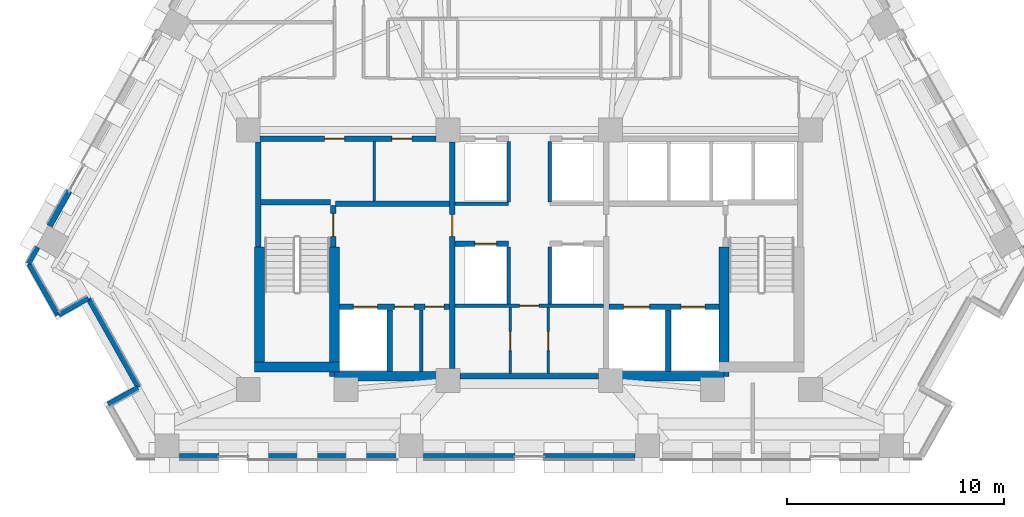
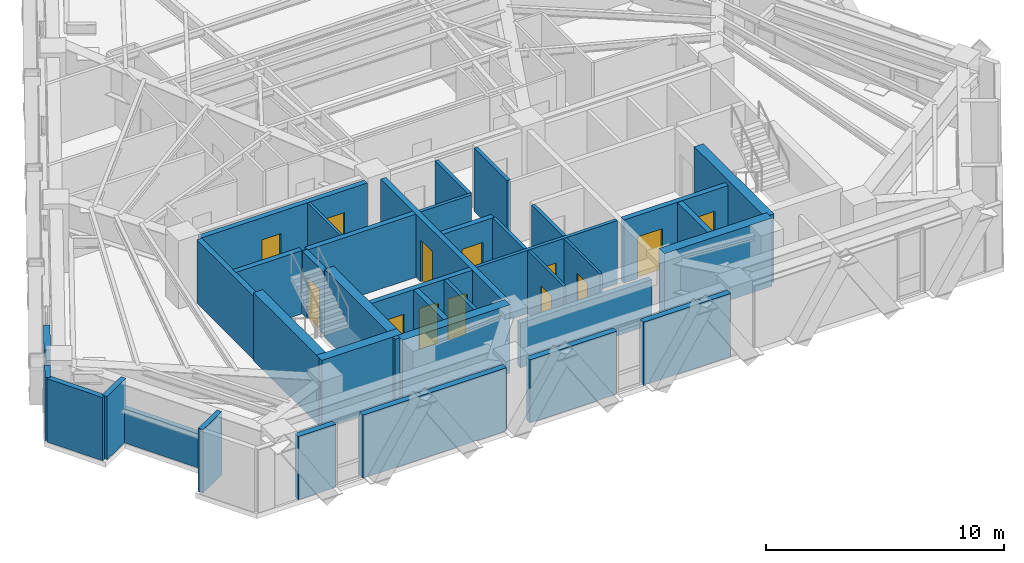
# One storey, part 7 of 13: 38 walls, 13 doors, 13 openings.
"""IFC4 building model written with IfcOpenShell, lengths in metres."""

import ifcopenshell
import ifcopenshell.guid

model = None  # the IFC model being written
_history = None  # IfcOwnerHistory: only IFC2X3 demands one
_inside = {}  # id of a spatial element -> (the spatial element, [elements in it])
_under = {}  # id of a project, library or spatial element -> (it, [spatial elements below it])
_declared = {}  # id of a project -> (the project, [libraries it declares])
_typed = {}  # id of a type object -> (the type object, [elements of that type])
_made_of = {}  # id of a material, layer set ... -> (it, [elements and type objects made of it])


def new_model(schema):
    """Start an empty IFC model of exactly this schema.

    Asked for "IFC4X3", IfcOpenShell would pick the latest addendum, in which some entities
    have other attributes; the version numbers below select the first issue.
    IFC2X3 requires an IfcOwnerHistory on every rooted entity: one is made here for all.
    """
    global model, _history
    if schema == "IFC4X3":
        model = ifcopenshell.file(schema_version=(4, 3, 0, 0))
    else:
        model = ifcopenshell.file(schema=schema)
    _inside.clear()
    _under.clear()
    _declared.clear()
    _typed.clear()
    _made_of.clear()
    _history = None
    if model.schema == "IFC2X3":
        org = make("IfcOrganization", Name="unknown")
        user = make(
            "IfcPersonAndOrganization",
            ThePerson=make("IfcPerson", FamilyName="unknown"),
            TheOrganization=org,
        )
        app = make(
            "IfcApplication",
            ApplicationDeveloper=org,
            Version="unknown",
            ApplicationFullName="unknown",
            ApplicationIdentifier="unknown",
        )
        _history = make(
            "IfcOwnerHistory",
            OwningUser=user,
            OwningApplication=app,
            ChangeAction="ADDED",
            CreationDate=0,
        )
    return model


def make(cls, **values):
    """One entity of the class cls with the attributes given. An attribute that is None is left unset."""
    return model.create_entity(
        cls, **{name: value for name, value in values.items() if value is not None}
    )


def rooted(cls, **values):
    """An entity with a GlobalId (a new one), such as an element, a storey or a relation."""
    return make(cls, GlobalId=ifcopenshell.guid.new(), OwnerHistory=_history, **values)


def si_unit(unit_type, name, prefix=None):
    """IfcSIUnit, for example si_unit("LENGTHUNIT", "METRE", prefix="MILLI")."""
    return make("IfcSIUnit", UnitType=unit_type, Prefix=prefix, Name=name)


def assignment(units):
    """IfcUnitAssignment: the units of a project."""
    return None if units is None else make("IfcUnitAssignment", Units=units)


def point(xyz):
    """IfcCartesianPoint."""
    return None if xyz is None else make("IfcCartesianPoint", Coordinates=xyz)


def direction(xyz):
    """IfcDirection."""
    return None if xyz is None else make("IfcDirection", DirectionRatios=xyz)


def frame(location, z_axis=None, x_axis=None):
    """IfcAxis2Placement3D, a coordinate frame: its origin and axes. An axis left out is left unset."""
    return make(
        "IfcAxis2Placement3D",
        Location=point(location),
        Axis=direction(z_axis),
        RefDirection=direction(x_axis),
    )


def frame_2d(location, x_axis=None):
    """IfcAxis2Placement2D, a coordinate frame in the plane: its origin and x axis."""
    return make(
        "IfcAxis2Placement2D", Location=point(location), RefDirection=direction(x_axis)
    )


def origin():
    """The frame at (0, 0, 0) with its axes left unset."""
    return frame((0.0, 0.0, 0.0))


def place(relative_to, where):
    """IfcLocalPlacement: puts the frame where relative to a parent placement (None: the world)."""
    return make(
        "IfcLocalPlacement", PlacementRelTo=relative_to, RelativePlacement=where
    )


def context(
    kind, dimensions, precision=None, world=None, true_north=None, identifier=None
):
    """IfcGeometricRepresentationContext, for example the 3D "Model" context."""
    return make(
        "IfcGeometricRepresentationContext",
        ContextIdentifier=identifier,
        ContextType=kind,
        CoordinateSpaceDimension=dimensions,
        Precision=precision,
        WorldCoordinateSystem=world,
        TrueNorth=true_north,
    )


def subcontext(parent, identifier, kind, view, scale=None):
    """IfcGeometricRepresentationSubContext, for example "Body" below "Model"."""
    return make(
        "IfcGeometricRepresentationSubContext",
        ContextIdentifier=identifier,
        ContextType=kind,
        ParentContext=parent,
        TargetScale=scale,
        TargetView=view,
    )


def project(units=None, contexts=None):
    """IfcProject with its units and contexts."""
    return rooted(
        "IfcProject",
        Name="project",
        RepresentationContexts=contexts,
        UnitsInContext=assignment(units),
    )


def spatial(cls, under=None, at=None, **own):
    """A site, building, storey or space (cls), placed at a placement, below another one or the project."""
    s = rooted(cls, ObjectPlacement=at, **own)
    if under is not None:
        _under.setdefault(under.id(), (under, []))[1].append(s)
    return s


def profile(cls, at=None, kind="AREA", **sizes):
    """A parametric profile (cls). Its sizes go by their IFC names, for example OverallWidth=200.0."""
    return make(cls, ProfileType=kind, Position=at, **sizes)


def rectangle(**sizes):
    """IfcRectangleProfileDef."""
    return profile("IfcRectangleProfileDef", **sizes)


def extrude(swept, where, along, depth):
    """IfcExtrudedAreaSolid: the profile swept, set in the frame where, extruded along a direction by depth."""
    return make(
        "IfcExtrudedAreaSolid",
        SweptArea=swept,
        Position=where,
        ExtrudedDirection=direction(along),
        Depth=depth,
    )


def shape(context_of_items, identifier, shape_type, items):
    """IfcShapeRepresentation: the items that make up one representation, for example the "Body"."""
    return make(
        "IfcShapeRepresentation",
        ContextOfItems=context_of_items,
        RepresentationIdentifier=identifier,
        RepresentationType=shape_type,
        Items=items,
    )


def material(Name=None, Category=None):
    """IfcMaterial."""
    return make("IfcMaterial", Name=Name, Category=Category)


def layer(
    of_material, thickness, ventilated=None, Name=None, Category=None, Priority=None
):
    """IfcMaterialLayer: one layer of a wall or slab, of a material (None: an air gap)."""
    return make(
        "IfcMaterialLayer",
        Material=of_material,
        LayerThickness=thickness,
        IsVentilated=ventilated,
        Name=Name,
        Category=Category,
        Priority=Priority,
    )


def layer_set(layers, Name=None):
    """IfcMaterialLayerSet."""
    return make("IfcMaterialLayerSet", MaterialLayers=layers, LayerSetName=Name)


def made_of(thing, what):
    """Note that an element or type object is made of a material, layer set ...; save() writes the relation."""
    if what is not None:
        _made_of.setdefault(what.id(), (what, []))[1].append(thing)
    return thing


def type_object(cls, material=None, **own):
    """A type object (cls), such as IfcWallType, which elements share."""
    return made_of(rooted(cls, **own), material)


def element(
    cls,
    number,
    at=None,
    inside=None,
    cuts=None,
    type_object=None,
    material=None,
    context=None,
    identifier="Body",
    shape_type=None,
    held_by="IfcProductDefinitionShape",
    body=None,
    shapes=None,
    **own,
):
    """One element of the class cls, such as IfcWall. Its Tag is "e" and its number.

    at: its placement. inside: the storey or other place that contains it. cuts: it is an
    opening in that element (IfcRelVoidsElement). A single representation is given by context,
    identifier, shape_type and body (its items); several are given by shapes. held_by: the class
    of the entity that holds the representations. save() writes the other relations.
    """
    e = rooted(cls, Tag="e%d" % number, ObjectPlacement=at, **own)
    if body is not None:
        shapes = [shape(context, identifier, shape_type, body)]
    if shapes is not None:
        e.Representation = make(held_by, Representations=shapes)
    if inside is not None:
        _inside.setdefault(inside.id(), (inside, []))[1].append(e)
    if cuts is not None:
        rooted(
            "IfcRelVoidsElement", RelatingBuildingElement=cuts, RelatedOpeningElement=e
        )
    if type_object is not None:
        _typed.setdefault(type_object.id(), (type_object, []))[1].append(e)
    return made_of(e, material)


def fill(opening, filler):
    """IfcRelFillsElement: the door or window that sits in an opening."""
    return rooted(
        "IfcRelFillsElement",
        RelatingOpeningElement=opening,
        RelatedBuildingElement=filler,
    )


def aggregate(whole, parts):
    """IfcRelAggregates: a whole, such as a stair, and the parts it consists of."""
    return rooted("IfcRelAggregates", RelatingObject=whole, RelatedObjects=parts)


def save(model, path):
    """Write the relations noted so far, then the file.

    IfcRelAggregates (storeys below a building ...), IfcRelContainedInSpatialStructure (elements
    in a storey), IfcRelDefinesByType, IfcRelAssociatesMaterial and IfcRelDeclares: one each for
    every whole, place, type object, material and project.
    """
    for whole, parts in _under.values():
        aggregate(whole, parts)
    for where, things in _inside.values():
        rooted(
            "IfcRelContainedInSpatialStructure",
            RelatedElements=things,
            RelatingStructure=where,
        )
    for kind, things in _typed.values():
        rooted("IfcRelDefinesByType", RelatedObjects=things, RelatingType=kind)
    for what, things in _made_of.values():
        rooted("IfcRelAssociatesMaterial", RelatedObjects=things, RelatingMaterial=what)
    for by, libraries in _declared.values():
        rooted("IfcRelDeclares", RelatingContext=by, RelatedDefinitions=libraries)
    model.write(path)


model = new_model("IFC4")

# Units and contexts
model_context = context("Model", 3, precision=1e-05, world=origin(), true_north=direction((0.0, 1.0)))
body_context = subcontext(model_context, "Body", "Model", "MODEL_VIEW")
ifc_project = project(units=[si_unit("LENGTHUNIT", "METRE"), si_unit("AREAUNIT", "SQUARE_METRE"), si_unit("VOLUMEUNIT", "CUBIC_METRE"), si_unit("PLANEANGLEUNIT", "RADIAN"), si_unit("MASSUNIT", "GRAM", prefix="KILO")], contexts=[model_context])

# Site, building, storey
site_placement = place(None, origin())
site = spatial("IfcSite", under=ifc_project, at=site_placement, CompositionType="ELEMENT")
building_placement = place(site_placement, origin())
building = spatial("IfcBuilding", under=site, at=building_placement, Name="Quenlor Broadcast Tower", CompositionType="ELEMENT")
storey_placement = place(building_placement, frame((0.0, 0.0, 126.5)))
storey = spatial("IfcBuildingStorey", under=building, at=storey_placement, Name="L34", CompositionType="ELEMENT", Elevation=126.5)

# Walls
ifc_material_1 = material(Name="Concrete C50/60", Category="concrete")
ifc_layer_1 = layer(ifc_material_1, 0.449951171875)
ifc_layer_set_1 = layer_set([ifc_layer_1], Name="Core Concrete C50/60 Shear Wall 450")
wall_type_1 = type_object("IfcWallType", Name="Core Concrete C50/60 Shear Wall 450", PredefinedType="SHEAR", material=ifc_layer_set_1)
wall_1_placement = place(storey_placement, frame((-12.64990234375, -15.72509765625, 0.0), z_axis=(0.0, 0.0, 1.0), x_axis=(1.0, 0.0, 0.0)))
element("IfcWall", 1, at=wall_1_placement, inside=storey, type_object=wall_type_1, Name="L34 Core Shear Wall WS-W1", PredefinedType="SHEAR", context=body_context, shape_type="SweptSolid", body=[
    extrude(rectangle(XDim=3.89990234375, YDim=0.449951171875, at=frame_2d((1.949951171875, 0.0))), origin(), (0.0, 0.0, 1.0), 3.5),
])
for number, where, z_axis, x_axis, name in (
    (2, (-8.97509765625, -16.14990234375, 0.0), (0.0, 0.0, 1.0), (1.0, 0.0, 0.0), "L34 Core Shear Wall WS-W2"),
    (3, (3.75, -16.14990234375, 0.0), (0.0, 0.0, 1.0), (1.0, 0.0, 0.0), "L34 Core Shear Wall WS-E1"),
):
    element("IfcWall", number, at=place(storey_placement, frame(where, z_axis=z_axis, x_axis=x_axis)), inside=storey, type_object=wall_type_1, Name=name, PredefinedType="SHEAR", context=body_context, shape_type="SweptSolid", body=[
        extrude(rectangle(XDim=5.22509765625, YDim=0.449951171875, at=frame_2d((2.612548828125, 0.0))), origin(), (0.0, 0.0, 1.0), 3.5),
    ])
wall_2_placement = place(storey_placement, frame((-12.425048828125, -15.72509765625, 0.0), z_axis=(0.0, 0.0, 1.0), x_axis=(0.0, 1.0, 0.0)))
element("IfcWall", 4, at=wall_2_placement, inside=storey, type_object=wall_type_1, Name="L34 Core Shear Wall WF-W", PredefinedType="SHEAR", context=body_context, shape_type="SweptSolid", body=[
    extrude(rectangle(XDim=5.525146484375, YDim=0.449951171875, at=frame_2d((2.7626953125, 0.0))), origin(), (0.0, 0.0, 1.0), 3.5),
])
for number, where, z_axis, x_axis, name in (
    (5, (-8.97509765625, -16.14990234375, 0.0), (0.0, 0.0, 1.0), (0.0, 1.0, 0.0), "L34 Core Shear Wall WI-W"),
    (6, (8.97509765625, -16.14990234375, 0.0), (0.0, 0.0, 1.0), (0.0, 1.0, 0.0), "L34 Core Shear Wall WI-E"),
):
    element("IfcWall", number, at=place(storey_placement, frame(where, z_axis=z_axis, x_axis=x_axis)), inside=storey, type_object=wall_type_1, Name=name, PredefinedType="SHEAR", context=body_context, shape_type="SweptSolid", body=[
        extrude(rectangle(XDim=5.949951171875, YDim=0.449951171875, at=frame_2d((2.97509765625, 0.0))), origin(), (0.0, 0.0, 1.0), 3.5),
    ])

# Wall, opening, door
ifc_material_2 = material(Name="Concrete C40/50", Category="concrete")
ifc_layer_2 = layer(ifc_material_2, 0.25)
ifc_layer_set_2 = layer_set([ifc_layer_2], Name="Fire Rated Concrete C40/50 Core Wall 250")
wall_type_2 = type_object("IfcWallType", Name="Fire Rated Concrete C40/50 Core Wall 250", PredefinedType="PARTITIONING", material=ifc_layer_set_2)
wall_3_placement = place(storey_placement, frame((-9.0400390625, -10.179931640625, 0.0), z_axis=(0.0, 0.0, 1.0), x_axis=(0.0, 1.0, 0.0)))
wall_3 = element("IfcWall", 7, at=wall_3_placement, inside=storey, type_object=wall_type_2, Name="L34 Interior Wall CW-ST1-DR", PredefinedType="PARTITIONING", context=body_context, shape_type="SweptSolid", body=[
    extrude(rectangle(XDim=1.89990234375, YDim=0.25, at=frame_2d((0.949951171875, 0.0))), origin(), (0.0, 0.0, 1.0), 3.25),
])
opening_1_placement = place(wall_3_placement, frame((0.47998046875, 0.0, 0.0)))
opening_1 = element("IfcOpeningElement", 8, at=opening_1_placement, cuts=wall_3, Name="Opening FD-1", PredefinedType="OPENING", context=body_context, shape_type="SweptSolid", body=[
    extrude(rectangle(XDim=1.050048828125, YDim=2.14990234375, at=frame_2d((0.52490234375, 1.074951171875))), frame((0.0, 0.135009765625, 0.0), z_axis=(0.0, -1.0, 0.0), x_axis=(1.0, 0.0, 0.0)), (0.0, 0.0, 1.0), 0.27001953125),
])
ifc_material_3 = material(Name="Fire Rated Steel Door Leaf", Category="steel")
door_type_1 = type_object("IfcDoorType", Name="Fire Isolated Stair Door 1050x2150", OperationType="NOTDEFINED", PredefinedType="DOOR", material=ifc_material_3)
door_1_placement = place(opening_1_placement, origin())
door_1 = element("IfcDoor", 9, at=door_1_placement, inside=storey, type_object=door_type_1, Name="L34 Door DR-ST1", OperationType="SINGLE_SWING_LEFT", OverallHeight=2.14990234375, OverallWidth=1.050048828125, PredefinedType="DOOR", context=body_context, shape_type="SweptSolid", body=[
    extrude(rectangle(XDim=1.050048828125, YDim=2.14990234375, at=frame_2d((0.52490234375, 1.074951171875))), frame((0.0, 0.02490234375, 0.0), z_axis=(0.0, -1.0, 0.0), x_axis=(1.0, 0.0, 0.0)), (0.0, 0.0, 1.0), 0.050048828125),
])
fill(opening_1, door_1)

# Walls
wall_4_placement = place(storey_placement, frame((-12.3798828125, -8.1201171875, 0.0), z_axis=(0.0, 0.0, 1.0), x_axis=(1.0, 0.0, 0.0)))
element("IfcWall", 10, at=wall_4_placement, inside=storey, type_object=wall_type_2, Name="L34 Interior Wall CW-ST1-N", PredefinedType="PARTITIONING", context=body_context, shape_type="SweptSolid", body=[
    extrude(rectangle(XDim=3.219970703125, YDim=0.25, at=frame_2d((1.60986328125, 0.0))), origin(), (0.0, 0.0, 1.0), 3.25),
])
wall_5_placement = place(storey_placement, frame((-12.47998046875, -10.179931640625, 0.0), z_axis=(0.0, 0.0, 1.0), x_axis=(0.0, 1.0, 0.0)))
element("IfcWall", 11, at=wall_5_placement, inside=storey, type_object=wall_type_2, Name="L34 Interior Wall CW-ST1-W2", PredefinedType="PARTITIONING", context=body_context, shape_type="SweptSolid", body=[
    extrude(rectangle(XDim=4.827880859375, YDim=0.25, at=frame_2d((2.4140625, 0.0))), origin(), (0.0, 0.0, 1.0), 3.25),
])

# Wall, openings, doors
wall_6_placement = place(storey_placement, frame((-8.748046875, -12.949951171875, 0.0), z_axis=(0.0, 0.0, 1.0), x_axis=(1.0, 0.0, 0.0)))
wall_6 = element("IfcWall", 12, at=wall_6_placement, inside=storey, type_object=wall_type_2, Name="L34 Interior Wall CW-FFW-S", PredefinedType="PARTITIONING", context=body_context, shape_type="SweptSolid", body=[
    extrude(rectangle(XDim=5.068115234375, YDim=0.25, at=frame_2d((2.5341796875, 0.0))), origin(), (0.0, 0.0, 1.0), 3.25),
])
opening_2_placement = place(wall_6_placement, frame((0.64794921875, 0.0, 0.0)))
opening_2 = element("IfcOpeningElement", 13, at=opening_2_placement, cuts=wall_6, Name="Opening LD-FFL-1", PredefinedType="OPENING", context=body_context, shape_type="SweptSolid", body=[
    extrude(rectangle(XDim=1.10009765625, YDim=2.14990234375, at=frame_2d((0.550048828125, 1.074951171875))), frame((0.0, 0.135009765625, 0.0), z_axis=(0.0, -1.0, 0.0), x_axis=(1.0, 0.0, 0.0)), (0.0, 0.0, 1.0), 0.27001953125),
])
opening_3_placement = place(wall_6_placement, frame((2.548095703125, 0.0, 0.0)))
opening_3 = element("IfcOpeningElement", 14, at=opening_3_placement, cuts=wall_6, Name="Opening TD-1", PredefinedType="OPENING", context=body_context, shape_type="SweptSolid", body=[
    extrude(rectangle(XDim=0.8798828125, YDim=2.10009765625, at=frame_2d((0.43994140625, 1.050048828125))), frame((0.0, 0.135009765625, 0.0), z_axis=(0.0, -1.0, 0.0), x_axis=(1.0, 0.0, 0.0)), (0.0, 0.0, 1.0), 0.27001953125),
])
opening_4_placement = place(wall_6_placement, frame((3.947998046875, 0.0, 0.0)))
opening_4 = element("IfcOpeningElement", 15, at=opening_4_placement, cuts=wall_6, Name="Opening TD-1", PredefinedType="OPENING", context=body_context, shape_type="SweptSolid", body=[
    extrude(rectangle(XDim=0.8798828125, YDim=2.10009765625, at=frame_2d((0.43994140625, 1.050048828125))), frame((0.0, 0.135009765625, 0.0), z_axis=(0.0, -1.0, 0.0), x_axis=(1.0, 0.0, 0.0)), (0.0, 0.0, 1.0), 0.27001953125),
])
ifc_material_4 = material(Name="Brushed Stainless Steel", Category="steel")
door_type_2 = type_object("IfcDoorType", Name="Emergency Lift Sliding Landing Door 1100x2150", OperationType="NOTDEFINED", PredefinedType="DOOR", material=ifc_material_4)
door_2_placement = place(opening_2_placement, origin())
door_2 = element("IfcDoor", 16, at=door_2_placement, inside=storey, type_object=door_type_2, Name="L34 Door LD-FFL-1", OperationType="SLIDING_TO_LEFT", OverallHeight=2.14990234375, OverallWidth=1.10009765625, PredefinedType="DOOR", context=body_context, shape_type="SweptSolid", body=[
    extrude(rectangle(XDim=1.10009765625, YDim=2.14990234375, at=frame_2d((0.550048828125, 1.074951171875))), frame((0.0, 0.02490234375, 0.0), z_axis=(0.0, -1.0, 0.0), x_axis=(1.0, 0.0, 0.0)), (0.0, 0.0, 1.0), 0.050048828125),
])
fill(opening_2, door_2)
ifc_material_5 = material(Name="Fire Rated Steel Access Panel", Category="steel")
door_type_3 = type_object("IfcDoorType", Name="Riser Shaft Rated Access Trapdoor 880x2100", OperationType="NOTDEFINED", PredefinedType="TRAPDOOR", material=ifc_material_5)
door_3_placement = place(opening_3_placement, origin())
door_3 = element("IfcDoor", 17, at=door_3_placement, inside=storey, type_object=door_type_3, Name="L34 Door DR-ELR", OperationType="SINGLE_SWING_LEFT", OverallHeight=2.10009765625, OverallWidth=0.8798828125, PredefinedType="TRAPDOOR", context=body_context, shape_type="SweptSolid", body=[
    extrude(rectangle(XDim=0.8798828125, YDim=2.10009765625, at=frame_2d((0.43994140625, 1.050048828125))), frame((0.0, 0.02490234375, 0.0), z_axis=(0.0, -1.0, 0.0), x_axis=(1.0, 0.0, 0.0)), (0.0, 0.0, 1.0), 0.050048828125),
])
fill(opening_3, door_3)
door_4_placement = place(opening_4_placement, origin())
door_4 = element("IfcDoor", 18, at=door_4_placement, inside=storey, type_object=door_type_3, Name="L34 Door DR-CMR", OperationType="SINGLE_SWING_RIGHT", OverallHeight=2.10009765625, OverallWidth=0.8798828125, PredefinedType="TRAPDOOR", context=body_context, shape_type="SweptSolid", body=[
    extrude(rectangle(XDim=0.8798828125, YDim=2.10009765625, at=frame_2d((0.43994140625, 1.050048828125))), frame((0.0, 0.02490234375, 0.0), z_axis=(0.0, -1.0, 0.0), x_axis=(1.0, 0.0, 0.0)), (0.0, 0.0, 1.0), 0.050048828125),
])
fill(opening_4, door_4)

wall_7_placement = place(storey_placement, frame((3.679931640625, -12.949951171875, 0.0), z_axis=(0.0, 0.0, 1.0), x_axis=(1.0, 0.0, 0.0)))
wall_7 = element("IfcWall", 19, at=wall_7_placement, inside=storey, type_object=wall_type_2, Name="L34 Interior Wall CW-FFE-S", PredefinedType="PARTITIONING", context=body_context, shape_type="SweptSolid", body=[
    extrude(rectangle(XDim=5.068115234375, YDim=0.25, at=frame_2d((2.5341796875, 0.0))), origin(), (0.0, 0.0, 1.0), 3.25),
])
opening_5_placement = place(wall_7_placement, frame((3.320068359375, 0.0, 0.0)))
opening_5 = element("IfcOpeningElement", 20, at=opening_5_placement, cuts=wall_7, Name="Opening LD-FFL-2", PredefinedType="OPENING", context=body_context, shape_type="SweptSolid", body=[
    extrude(rectangle(XDim=1.10009765625, YDim=2.14990234375, at=frame_2d((0.550048828125, 1.074951171875))), frame((0.0, 0.135009765625, 0.0), z_axis=(0.0, -1.0, 0.0), x_axis=(1.0, 0.0, 0.0)), (0.0, 0.0, 1.0), 0.27001953125),
])
opening_6_placement = place(wall_7_placement, frame((0.669921875, 0.0, 0.0)))
opening_6 = element("IfcOpeningElement", 21, at=opening_6_placement, cuts=wall_7, Name="Opening LD-SVL-1", PredefinedType="OPENING", context=body_context, shape_type="SweptSolid", body=[
    extrude(rectangle(XDim=1.199951171875, YDim=2.14990234375, at=frame_2d((0.60009765625, 1.074951171875))), frame((0.0, 0.135009765625, 0.0), z_axis=(0.0, -1.0, 0.0), x_axis=(1.0, 0.0, 0.0)), (0.0, 0.0, 1.0), 0.27001953125),
])
door_5_placement = place(opening_5_placement, origin())
door_5 = element("IfcDoor", 22, at=door_5_placement, inside=storey, type_object=door_type_2, Name="L34 Door LD-FFL-2", OperationType="SLIDING_TO_RIGHT", OverallHeight=2.14990234375, OverallWidth=1.10009765625, PredefinedType="DOOR", context=body_context, shape_type="SweptSolid", body=[
    extrude(rectangle(XDim=1.10009765625, YDim=2.14990234375, at=frame_2d((0.550048828125, 1.074951171875))), frame((0.0, 0.02490234375, 0.0), z_axis=(0.0, -1.0, 0.0), x_axis=(1.0, 0.0, 0.0)), (0.0, 0.0, 1.0), 0.050048828125),
])
fill(opening_5, door_5)
ifc_material_6 = material(Name="Brushed Stainless Steel", Category="steel")
door_type_4 = type_object("IfcDoorType", Name="Goods Lift Sliding Landing Door 1200x2150", OperationType="NOTDEFINED", PredefinedType="DOOR", material=ifc_material_6)
door_6_placement = place(opening_6_placement, origin())
door_6 = element("IfcDoor", 23, at=door_6_placement, inside=storey, type_object=door_type_4, Name="L34 Door LD-SVL-1", OperationType="SLIDING_TO_LEFT", OverallHeight=2.14990234375, OverallWidth=1.199951171875, PredefinedType="DOOR", context=body_context, shape_type="SweptSolid", body=[
    extrude(rectangle(XDim=1.199951171875, YDim=2.14990234375, at=frame_2d((0.60009765625, 1.074951171875))), frame((0.0, 0.02490234375, 0.0), z_axis=(0.0, -1.0, 0.0), x_axis=(1.0, 0.0, 0.0)), (0.0, 0.0, 1.0), 0.050048828125),
])
fill(opening_6, door_6)

# Walls
for number, where, z_axis, x_axis, name in (
    (24, (-6.419921875, -15.919921875, 0.0), (0.0, 0.0, 1.0), (0.0, 1.0, 0.0), "L34 Interior Wall CW-FF1-E"),
    (25, (6.39990234375, -15.919921875, 0.0), (0.0, 0.0, 1.0), (0.0, 1.0, 0.0), "L34 Interior Wall CW-SV1-E"),
):
    element("IfcWall", number, at=place(storey_placement, frame(where, z_axis=z_axis, x_axis=x_axis)), inside=storey, type_object=wall_type_2, Name=name, PredefinedType="PARTITIONING", context=body_context, shape_type="SweptSolid", body=[
        extrude(rectangle(XDim=2.829833984375, YDim=0.25, at=frame_2d((1.4150390625, 0.0))), origin(), (0.0, 0.0, 1.0), 3.25),
    ])
wall_8_placement = place(storey_placement, frame((-8.919921875, -8.199951171875, 0.0), z_axis=(0.0, 0.0, 1.0), x_axis=(1.0, 0.0, 0.0)))
element("IfcWall", 26, at=wall_8_placement, inside=storey, type_object=wall_type_2, Name="L34 Interior Wall CW-FFW-N", PredefinedType="PARTITIONING", context=body_context, shape_type="SweptSolid", body=[
    extrude(rectangle(XDim=5.239990234375, YDim=0.25, at=frame_2d((2.6201171875, 0.0))), origin(), (0.0, 0.0, 1.0), 3.25),
])

# Wall, opening, door
wall_9_placement = place(storey_placement, frame((-3.550048828125, -15.798095703125, 0.0), z_axis=(0.0, 0.0, 1.0), x_axis=(0.0, 1.0, 0.0)))
wall_9 = element("IfcWall", 27, at=wall_9_placement, inside=storey, type_object=wall_type_2, Name="L34 Interior Wall CW-FFW-E", PredefinedType="PARTITIONING", context=body_context, shape_type="SweptSolid", body=[
    extrude(rectangle(XDim=10.446044921875, YDim=0.25, at=frame_2d((5.22314453125, 0.0))), origin(), (0.0, 0.0, 1.0), 3.25),
])
opening_7_placement = place(wall_9_placement, frame((6.097900390625, 0.0, 0.0)))
opening_7 = element("IfcOpeningElement", 28, at=opening_7_placement, cuts=wall_9, Name="Opening FD-2", PredefinedType="OPENING", context=body_context, shape_type="SweptSolid", body=[
    extrude(rectangle(XDim=1.0, YDim=2.14990234375, at=frame_2d((0.5, 1.074951171875))), frame((0.0, 0.135009765625, 0.0), z_axis=(0.0, -1.0, 0.0), x_axis=(1.0, 0.0, 0.0)), (0.0, 0.0, 1.0), 0.27001953125),
])
ifc_material_7 = material(Name="Fire Rated Glazed Steel Door", Category="steel")
door_type_5 = type_object("IfcDoorType", Name="Firefighting Lobby Smoke Door 1000x2150", OperationType="NOTDEFINED", PredefinedType="DOOR", material=ifc_material_7)
door_7_placement = place(opening_7_placement, origin())
door_7 = element("IfcDoor", 29, at=door_7_placement, inside=storey, type_object=door_type_5, Name="L34 Door DR-FFLW", OperationType="SINGLE_SWING_RIGHT", OverallHeight=2.14990234375, OverallWidth=1.0, PredefinedType="DOOR", context=body_context, shape_type="SweptSolid", body=[
    extrude(rectangle(XDim=1.0, YDim=2.14990234375, at=frame_2d((0.5, 1.074951171875))), frame((0.0, 0.02490234375, 0.0), z_axis=(0.0, -1.0, 0.0), x_axis=(1.0, 0.0, 0.0)), (0.0, 0.0, 1.0), 0.050048828125),
])
fill(opening_7, door_7)

# Wall, openings, doors
wall_10_placement = place(storey_placement, frame((-12.39794921875, -5.199951171875, 0.0), z_axis=(0.0, 0.0, 1.0), x_axis=(1.0, 0.0, 0.0)))
wall_10 = element("IfcWall", 30, at=wall_10_placement, inside=storey, type_object=wall_type_2, Name="L34 Interior Wall CW-N-W", PredefinedType="PARTITIONING", context=body_context, shape_type="SweptSolid", body=[
    extrude(rectangle(XDim=8.095947265625, YDim=0.25, at=frame_2d((4.0478515625, 0.0))), origin(), (0.0, 0.0, 1.0), 3.25),
])
opening_8_placement = place(wall_10_placement, frame((2.968017578125, 0.0, 0.0)))
opening_8 = element("IfcOpeningElement", 31, at=opening_8_placement, cuts=wall_10, Name="Opening ID-1", PredefinedType="OPENING", context=body_context, shape_type="SweptSolid", body=[
    extrude(rectangle(XDim=0.919921875, YDim=2.1201171875, at=frame_2d((0.4599609375, 1.06005859375))), frame((0.0, 0.135009765625, 0.0), z_axis=(0.0, -1.0, 0.0), x_axis=(1.0, 0.0, 0.0)), (0.0, 0.0, 1.0), 0.27001953125),
])
opening_9_placement = place(wall_10_placement, frame((6.068115234375, 0.0, 0.0)))
opening_9 = element("IfcOpeningElement", 32, at=opening_9_placement, cuts=wall_10, Name="Opening ID-1", PredefinedType="OPENING", context=body_context, shape_type="SweptSolid", body=[
    extrude(rectangle(XDim=0.919921875, YDim=2.1201171875, at=frame_2d((0.4599609375, 1.06005859375))), frame((0.0, 0.135009765625, 0.0), z_axis=(0.0, -1.0, 0.0), x_axis=(1.0, 0.0, 0.0)), (0.0, 0.0, 1.0), 0.27001953125),
])
ifc_material_8 = material(Name="Solid Core Timber Oak", Category="wood")
door_type_6 = type_object("IfcDoorType", Name="Single Leaf Timber Office Door 920x2120", OperationType="NOTDEFINED", PredefinedType="DOOR", material=ifc_material_8)
door_8_placement = place(opening_8_placement, origin())
door_8 = element("IfcDoor", 33, at=door_8_placement, inside=storey, type_object=door_type_6, Name="L34 Door DR-RCL1", OperationType="SINGLE_SWING_LEFT", OverallHeight=2.1201171875, OverallWidth=0.919921875, PredefinedType="DOOR", context=body_context, shape_type="SweptSolid", body=[
    extrude(rectangle(XDim=0.919921875, YDim=2.1201171875, at=frame_2d((0.4599609375, 1.06005859375))), frame((0.0, 0.02490234375, 0.0), z_axis=(0.0, -1.0, 0.0), x_axis=(1.0, 0.0, 0.0)), (0.0, 0.0, 1.0), 0.050048828125),
])
fill(opening_8, door_8)
door_9_placement = place(opening_9_placement, origin())
door_9 = element("IfcDoor", 34, at=door_9_placement, inside=storey, type_object=door_type_6, Name="L34 Door DR-RCL2", OperationType="SINGLE_SWING_RIGHT", OverallHeight=2.1201171875, OverallWidth=0.919921875, PredefinedType="DOOR", context=body_context, shape_type="SweptSolid", body=[
    extrude(rectangle(XDim=0.919921875, YDim=2.1201171875, at=frame_2d((0.4599609375, 1.06005859375))), frame((0.0, 0.02490234375, 0.0), z_axis=(0.0, -1.0, 0.0), x_axis=(1.0, 0.0, 0.0)), (0.0, 0.0, 1.0), 0.050048828125),
])
fill(opening_9, door_9)

# Wall
wall_11_placement = place(storey_placement, frame((-3.197998046875, -16.14990234375, 0.0), z_axis=(0.0, 0.0, 1.0), x_axis=(1.0, 0.0, 0.0)))
element("IfcWall", 35, at=wall_11_placement, inside=storey, type_object=wall_type_2, Name="L34 Interior Wall CW-MS-S", PredefinedType="PARTITIONING", context=body_context, shape_type="SweptSolid", body=[
    extrude(rectangle(XDim=6.39599609375, YDim=0.25, at=frame_2d((3.197998046875, 0.0))), origin(), (0.0, 0.0, 1.0), 2.300048828125),
])

# Wall, opening, door
wall_12_placement = place(storey_placement, frame((-3.419921875, -10.050048828125, 0.0), z_axis=(0.0, 0.0, 1.0), x_axis=(1.0, 0.0, 0.0)))
wall_12 = element("IfcWall", 36, at=wall_12_placement, inside=storey, type_object=wall_type_2, Name="L34 Interior Wall CW-MS-N1", PredefinedType="PARTITIONING", context=body_context, shape_type="SweptSolid", body=[
    extrude(rectangle(XDim=2.469970703125, YDim=0.25, at=frame_2d((1.23486328125, 0.0))), origin(), (0.0, 0.0, 1.0), 3.25),
])
opening_10_placement = place(wall_12_placement, frame((0.919921875, 0.0, 0.0)))
opening_10 = element("IfcOpeningElement", 37, at=opening_10_placement, cuts=wall_12, Name="Opening LD-PL-M3", PredefinedType="OPENING", context=body_context, shape_type="SweptSolid", body=[
    extrude(rectangle(XDim=1.0, YDim=2.14990234375, at=frame_2d((0.5, 1.074951171875))), frame((0.0, 0.135009765625, 0.0), z_axis=(0.0, -1.0, 0.0), x_axis=(1.0, 0.0, 0.0)), (0.0, 0.0, 1.0), 0.27001953125),
])
ifc_material_9 = material(Name="Brushed Stainless Steel", Category="steel")
door_type_7 = type_object("IfcDoorType", Name="Passenger Lift Sliding Landing Door 1000x2150", OperationType="NOTDEFINED", PredefinedType="DOOR", material=ifc_material_9)
door_10_placement = place(opening_10_placement, origin())
door_10 = element("IfcDoor", 38, at=door_10_placement, inside=storey, type_object=door_type_7, Name="L34 Door LD-PL-M3", OperationType="SLIDING_TO_LEFT", OverallHeight=2.14990234375, OverallWidth=1.0, PredefinedType="DOOR", context=body_context, shape_type="SweptSolid", body=[
    extrude(rectangle(XDim=1.0, YDim=2.14990234375, at=frame_2d((0.5, 1.074951171875))), frame((0.0, 0.02490234375, 0.0), z_axis=(0.0, -1.0, 0.0), x_axis=(1.0, 0.0, 0.0)), (0.0, 0.0, 1.0), 0.050048828125),
])
fill(opening_10, door_10)

# Walls
ifc_material_10 = material(Name="Gypsum Fireboard Partition", Category="other")
ifc_layer_3 = layer(ifc_material_10, 0.159912109375)
ifc_layer_set_3 = layer_set([ifc_layer_3], Name="Fire Rated Shaft and Corridor Partition 160")
wall_type_3 = type_object("IfcWallType", Name="Fire Rated Shaft and Corridor Partition 160", PredefinedType="PARTITIONING", material=ifc_layer_set_3)
wall_13_placement = place(storey_placement, frame((-4.97998046875, -15.919921875, 0.0), z_axis=(0.0, 0.0, 1.0), x_axis=(0.0, 1.0, 0.0)))
element("IfcWall", 39, at=wall_13_placement, inside=storey, type_object=wall_type_3, Name="L34 Interior Wall CW-ELR-E", PredefinedType="PARTITIONING", context=body_context, shape_type="SweptSolid", body=[
    extrude(rectangle(XDim=2.829833984375, YDim=0.159912109375, at=frame_2d((1.4150390625, 0.0))), origin(), (0.0, 0.0, 1.0), 3.25),
])
for number, where, z_axis, x_axis, name in (
    (40, (-0.949951171875, -8.1201171875, 0.0), (0.0, 0.0, 1.0), (0.0, 1.0, 0.0), "L34 Interior Wall CW-CCRP-W"),
    (41, (0.949951171875, -8.1201171875, 0.0), (0.0, 0.0, 1.0), (0.0, 1.0, 0.0), "L34 Interior Wall CW-CCRP-E"),
):
    element("IfcWall", number, at=place(storey_placement, frame(where, z_axis=z_axis, x_axis=x_axis)), inside=storey, type_object=wall_type_3, Name=name, PredefinedType="PARTITIONING", context=body_context, shape_type="SweptSolid", body=[
        extrude(rectangle(XDim=2.780029296875, YDim=0.159912109375, at=frame_2d((1.39013671875, 0.0))), origin(), (0.0, 0.0, 1.0), 3.25),
    ])
wall_14_placement = place(storey_placement, frame((-3.419921875, -8.199951171875, 0.0), z_axis=(0.0, 0.0, 1.0), x_axis=(1.0, 0.0, 0.0)))
element("IfcWall", 42, at=wall_14_placement, inside=storey, type_object=wall_type_3, Name="L34 Interior Wall CW-M-BACK1", PredefinedType="PARTITIONING", context=body_context, shape_type="SweptSolid", body=[
    extrude(rectangle(XDim=2.469970703125, YDim=0.159912109375, at=frame_2d((1.23486328125, 0.0))), origin(), (0.0, 0.0, 1.0), 3.25),
])

# Wall, opening, door
wall_15_placement = place(storey_placement, frame((-3.419921875, -12.89990234375, 0.0), z_axis=(0.0, 0.0, 1.0), x_axis=(1.0, 0.0, 0.0)))
wall_15 = element("IfcWall", 43, at=wall_15_placement, inside=storey, type_object=wall_type_3, Name="L34 Interior Wall CW-MS-B", PredefinedType="PARTITIONING", context=body_context, shape_type="SweptSolid", body=[
    extrude(rectangle(XDim=6.83984375, YDim=0.159912109375, at=frame_2d((3.419921875, 0.0))), origin(), (0.0, 0.0, 1.0), 3.25),
])
opening_11_placement = place(wall_15_placement, frame((2.97998046875, 0.0, 0.0)))
opening_11 = element("IfcOpeningElement", 44, at=opening_11_placement, cuts=wall_15, Name="Opening ID-4", PredefinedType="OPENING", context=body_context, shape_type="SweptSolid", body=[
    extrude(rectangle(XDim=0.8798828125, YDim=2.1201171875, at=frame_2d((0.43994140625, 1.06005859375))), frame((0.0, 0.08984375, 0.0), z_axis=(0.0, -1.0, 0.0), x_axis=(1.0, 0.0, 0.0)), (0.0, 0.0, 1.0), 0.179931640625),
])
ifc_material_11 = material(Name="Solid Core Timber Oak", Category="wood")
door_type_8 = type_object("IfcDoorType", Name="Service Closet Timber Door 880x2120", OperationType="NOTDEFINED", PredefinedType="DOOR", material=ifc_material_11)
door_11_placement = place(opening_11_placement, origin())
door_11 = element("IfcDoor", 45, at=door_11_placement, inside=storey, type_object=door_type_8, Name="L34 Door DR-CSV0", OperationType="SINGLE_SWING_LEFT", OverallHeight=2.1201171875, OverallWidth=0.8798828125, PredefinedType="DOOR", context=body_context, shape_type="SweptSolid", body=[
    extrude(rectangle(XDim=0.8798828125, YDim=2.1201171875, at=frame_2d((0.43994140625, 1.06005859375))), frame((0.0, 0.02490234375, 0.0), z_axis=(0.0, -1.0, 0.0), x_axis=(1.0, 0.0, 0.0)), (0.0, 0.0, 1.0), 0.050048828125),
])
fill(opening_11, door_11)

# Walls
for number, where, z_axis, x_axis, name in (
    (46, (-0.949951171875, -12.818115234375, 0.0), (0.0, 0.0, 1.0), (0.0, 1.0, 0.0), "L34 Interior Wall CW-MS-W"),
    (47, (0.949951171875, -12.818115234375, 0.0), (0.0, 0.0, 1.0), (0.0, 1.0, 0.0), "L34 Interior Wall CW-MS-E"),
):
    element("IfcWall", number, at=place(storey_placement, frame(where, z_axis=z_axis, x_axis=x_axis)), inside=storey, type_object=wall_type_3, Name=name, PredefinedType="PARTITIONING", context=body_context, shape_type="SweptSolid", body=[
        extrude(rectangle(XDim=2.63818359375, YDim=0.159912109375, at=frame_2d((1.319091796875, 0.0))), origin(), (0.0, 0.0, 1.0), 3.25),
    ])
ifc_material_12 = material(Name="Gypsum Plasterboard Partition", Category="other")
ifc_layer_4 = layer(ifc_material_12, 0.1201171875)
ifc_layer_set_4 = layer_set([ifc_layer_4], Name="Standard Office Partition 120")
wall_type_4 = type_object("IfcWallType", Name="Standard Office Partition 120", PredefinedType="PARTITIONING", material=ifc_layer_set_4)
wall_16_placement = place(storey_placement, frame((-7.14990234375, -8.072998046875, 0.0), z_axis=(0.0, 0.0, 1.0), x_axis=(0.0, 1.0, 0.0)))
element("IfcWall", 48, at=wall_16_placement, inside=storey, type_object=wall_type_4, Name="L34 Interior Wall CW-RCL-MID", PredefinedType="PARTITIONING", context=body_context, shape_type="SweptSolid", body=[
    extrude(rectangle(XDim=2.73291015625, YDim=0.1201171875, at=frame_2d((1.366455078125, 0.0))), origin(), (0.0, 0.0, 1.0), 3.25),
])

# Wall, opening, door
wall_17_placement = place(storey_placement, frame((-0.8798828125, -16.02001953125, 0.0), z_axis=(0.0, 0.0, 1.0), x_axis=(0.0, 1.0, 0.0)))
wall_17 = element("IfcWall", 49, at=wall_17_placement, inside=storey, type_object=wall_type_4, Name="L34 Interior Wall CW-CSV-W3", PredefinedType="PARTITIONING", context=body_context, shape_type="SweptSolid", body=[
    extrude(rectangle(XDim=3.0380859375, YDim=0.1201171875, at=frame_2d((1.51904296875, 0.0))), origin(), (0.0, 0.0, 1.0), 3.25),
])
opening_12_placement = place(wall_17_placement, frame((1.050048828125, 0.0, 0.0)))
opening_12 = element("IfcOpeningElement", 50, at=opening_12_placement, cuts=wall_17, Name="Opening ID-4", PredefinedType="OPENING", context=body_context, shape_type="SweptSolid", body=[
    extrude(rectangle(XDim=0.8798828125, YDim=2.1201171875, at=frame_2d((0.43994140625, 1.06005859375))), frame((0.0, 0.070068359375, 0.0), z_axis=(0.0, -1.0, 0.0), x_axis=(1.0, 0.0, 0.0)), (0.0, 0.0, 1.0), 0.14013671875),
])
door_12_placement = place(opening_12_placement, origin())
door_12 = element("IfcDoor", 51, at=door_12_placement, inside=storey, type_object=door_type_8, Name="L34 Door DR-CSV1", OperationType="SINGLE_SWING_LEFT", OverallHeight=2.1201171875, OverallWidth=0.8798828125, PredefinedType="DOOR", context=body_context, shape_type="SweptSolid", body=[
    extrude(rectangle(XDim=0.8798828125, YDim=2.1201171875, at=frame_2d((0.43994140625, 1.06005859375))), frame((0.0, 0.02490234375, 0.0), z_axis=(0.0, -1.0, 0.0), x_axis=(1.0, 0.0, 0.0)), (0.0, 0.0, 1.0), 0.050048828125),
])
fill(opening_12, door_12)

wall_18_placement = place(storey_placement, frame((0.8798828125, -16.02001953125, 0.0), z_axis=(0.0, 0.0, 1.0), x_axis=(0.0, 1.0, 0.0)))
wall_18 = element("IfcWall", 52, at=wall_18_placement, inside=storey, type_object=wall_type_4, Name="L34 Interior Wall CW-CSV-E3", PredefinedType="PARTITIONING", context=body_context, shape_type="SweptSolid", body=[
    extrude(rectangle(XDim=3.0380859375, YDim=0.1201171875, at=frame_2d((1.51904296875, 0.0))), origin(), (0.0, 0.0, 1.0), 3.25),
])
opening_13_placement = place(wall_18_placement, frame((1.050048828125, 0.0, 0.0)))
opening_13 = element("IfcOpeningElement", 53, at=opening_13_placement, cuts=wall_18, Name="Opening ID-4", PredefinedType="OPENING", context=body_context, shape_type="SweptSolid", body=[
    extrude(rectangle(XDim=0.8798828125, YDim=2.1201171875, at=frame_2d((0.43994140625, 1.06005859375))), frame((0.0, 0.070068359375, 0.0), z_axis=(0.0, -1.0, 0.0), x_axis=(1.0, 0.0, 0.0)), (0.0, 0.0, 1.0), 0.14013671875),
])
door_13_placement = place(opening_13_placement, origin())
door_13 = element("IfcDoor", 54, at=door_13_placement, inside=storey, type_object=door_type_8, Name="L34 Door DR-CSV2", OperationType="SINGLE_SWING_RIGHT", OverallHeight=2.1201171875, OverallWidth=0.8798828125, PredefinedType="DOOR", context=body_context, shape_type="SweptSolid", body=[
    extrude(rectangle(XDim=0.8798828125, YDim=2.1201171875, at=frame_2d((0.43994140625, 1.06005859375))), frame((0.0, 0.02490234375, 0.0), z_axis=(0.0, -1.0, 0.0), x_axis=(1.0, 0.0, 0.0)), (0.0, 0.0, 1.0), 0.050048828125),
])
fill(opening_13, door_13)

# Walls
ifc_material_13 = material(Name="Precast concrete C40/50", Category="concrete")
ifc_layer_5 = layer(ifc_material_13, 0.239990234375)
ifc_layer_set_5 = layer_set([ifc_layer_5], Name="Terrace Threshold Precast Concrete C40/50 Wall 240")
wall_type_5 = type_object("IfcWallType", Name="Terrace Threshold Precast Concrete C40/50 Wall 240", PredefinedType="STANDARD", material=ifc_layer_set_5)
wall_19_placement = place(storey_placement, frame((-23.078125, -10.9541015625, 0.0), z_axis=(0.0, 0.0, 1.0), x_axis=(0.490355003566, 0.871522788272, 0.0)))
element("IfcWall", 55, at=wall_19_placement, inside=storey, type_object=wall_type_5, Name="L34 Exterior Wall L34-SHD-NWS0", PredefinedType="STANDARD", context=body_context, shape_type="SweptSolid", body=[
    extrude(rectangle(XDim=0.865234375, YDim=0.239990234375, at=frame_2d((0.4326171875, 0.0))), origin(), (0.0, 0.0, 1.0), 3.25),
])
wall_20_placement = place(storey_placement, frame((-23.043701171875, -10.962890625, 0.0), z_axis=(0.0, 0.0, 1.0), x_axis=(0.490218533594, -0.871599557894, 0.0)))
element("IfcWall", 56, at=wall_20_placement, inside=storey, type_object=wall_type_5, Name="L34 Exterior Wall L34-CNR-12", PredefinedType="STANDARD", context=body_context, shape_type="SweptSolid", body=[
    extrude(rectangle(XDim=2.714111328125, YDim=0.239990234375, at=frame_2d((1.35693359375, 0.0))), origin(), (0.0, 0.0, 1.0), 3.25),
])
wall_21_placement = place(storey_placement, frame((-21.67822265625, -13.30908203125, 0.0), z_axis=(0.0, 0.0, 1.0), x_axis=(0.871546278971, 0.490313250496, 0.0)))
element("IfcWall", 57, at=wall_21_placement, inside=storey, type_object=wall_type_5, Name="L34 Exterior Wall L34-CNR-13", PredefinedType="STANDARD", context=body_context, shape_type="SweptSolid", body=[
    extrude(rectangle(XDim=1.56005859375, YDim=0.239990234375, at=frame_2d((0.780029296875, 0.0))), origin(), (0.0, 0.0, 1.0), 3.25),
])
wall_22_placement = place(storey_placement, frame((-20.299072265625, -12.5791015625, 0.0), z_axis=(0.0, 0.0, 1.0), x_axis=(0.490313250496, -0.871546278971, 0.0)))
element("IfcWall", 58, at=wall_22_placement, inside=storey, type_object=wall_type_5, Name="L34 Exterior Wall L34-CNR-14", PredefinedType="STANDARD", context=body_context, shape_type="SweptSolid", body=[
    extrude(rectangle(XDim=4.679931640625, YDim=0.239990234375, at=frame_2d((2.33984375, 0.0))), origin(), (0.0, 0.0, 1.0), 1.75),
])
wall_23_placement = place(storey_placement, frame((-18.039306640625, -16.677490234375, 0.0), z_axis=(0.0, 0.0, 1.0), x_axis=(-0.871546278971, -0.490313250496, 0.0)))
element("IfcWall", 59, at=wall_23_placement, inside=storey, type_object=wall_type_5, Name="L34 Exterior Wall L34-CNR-15", PredefinedType="STANDARD", context=body_context, shape_type="SweptSolid", body=[
    extrude(rectangle(XDim=1.56005859375, YDim=0.239990234375, at=frame_2d((0.780029296875, 0.0))), origin(), (0.0, 0.0, 1.0), 3.25),
])
ifc_material_14 = material(Name="Precast concrete C40/50", Category="concrete")
ifc_layer_6 = layer(ifc_material_14, 0.280029296875)
ifc_layer_set_6 = layer_set([ifc_layer_6], Name="Terracotta Precast Concrete C40/50 Facade Wall 280")
wall_type_6 = type_object("IfcWallType", Name="Terracotta Precast Concrete C40/50 Facade Wall 280", PredefinedType="STANDARD", material=ifc_layer_set_6)
wall_24_placement = place(storey_placement, frame((-6.018310546875, -19.840087890625, 0.0), z_axis=(0.0, 0.0, 1.0), x_axis=(-1.0, 0.0, 0.0)))
element("IfcWall", 60, at=wall_24_placement, inside=storey, type_object=wall_type_6, Name="L34 Exterior Wall L34-SC-SP1", PredefinedType="STANDARD", context=body_context, shape_type="SweptSolid", body=[
    extrude(rectangle(XDim=6.96044921875, YDim=0.280029296875, at=frame_2d((3.480224609375, 0.0))), origin(), (0.0, 0.0, 1.0), 3.25),
])
wall_25_placement = place(storey_placement, frame((-14.291748046875, -19.840087890625, 0.0), z_axis=(0.0, 0.0, 1.0), x_axis=(-1.0, 0.0, 0.0)))
element("IfcWall", 61, at=wall_25_placement, inside=storey, type_object=wall_type_6, Name="L34 Exterior Wall L34-SC-SP2", PredefinedType="STANDARD", context=body_context, shape_type="SweptSolid", body=[
    extrude(rectangle(XDim=1.82568359375, YDim=0.280029296875, at=frame_2d((0.912841796875, 0.0))), origin(), (0.0, 0.0, 1.0), 3.25),
])
for number, where, z_axis, x_axis, name in (
    (62, (4.873291015625, -19.840087890625, 0.0), (0.0, 0.0, 1.0), (-1.0, 0.0, 0.0), "L34 Exterior Wall L34-S-SP1"),
    (63, (-0.656494140625, -19.840087890625, 0.0), (0.0, 0.0, 1.0), (-1.0, 0.0, 0.0), "L34 Exterior Wall L34-S-SP2"),
):
    element("IfcWall", number, at=place(storey_placement, frame(where, z_axis=z_axis, x_axis=x_axis)), inside=storey, type_object=wall_type_6, Name=name, PredefinedType="STANDARD", context=body_context, shape_type="SweptSolid", body=[
        extrude(rectangle(XDim=4.216796875, YDim=0.280029296875, at=frame_2d((2.1083984375, 0.0))), origin(), (0.0, 0.0, 1.0), 3.25),
    ])
wall_26_placement = place(storey_placement, frame((-22.099853515625, -9.215087890625, 0.0), z_axis=(0.0, 0.0, 1.0), x_axis=(0.490280102884, 0.871564926277, 0.0)))
element("IfcWall", 64, at=wall_26_placement, inside=storey, type_object=wall_type_6, Name="L34 Exterior Wall L34-NWA-SP1", PredefinedType="STANDARD", context=body_context, shape_type="SweptSolid", body=[
    extrude(rectangle(XDim=1.843505859375, YDim=0.280029296875, at=frame_2d((0.921875, 0.0))), origin(), (0.0, 0.0, 1.0), 3.25),
])

save(model, "model.ifc")
